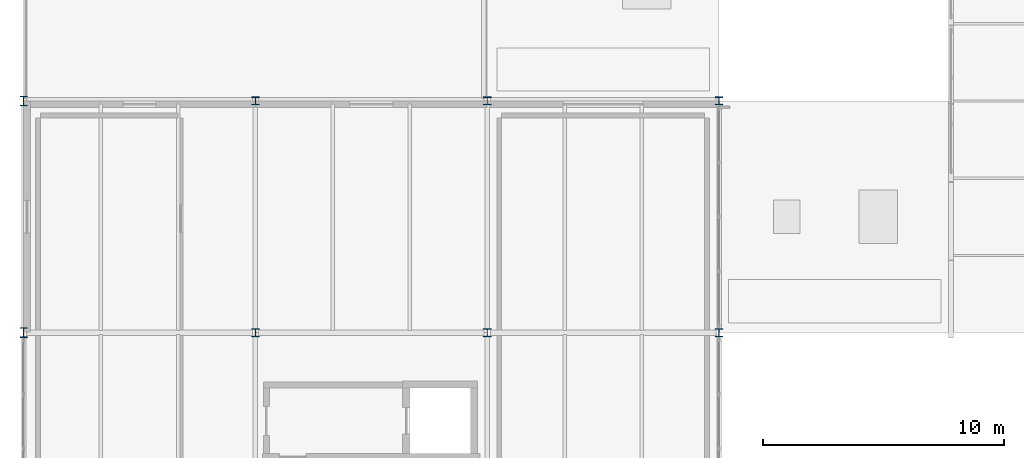
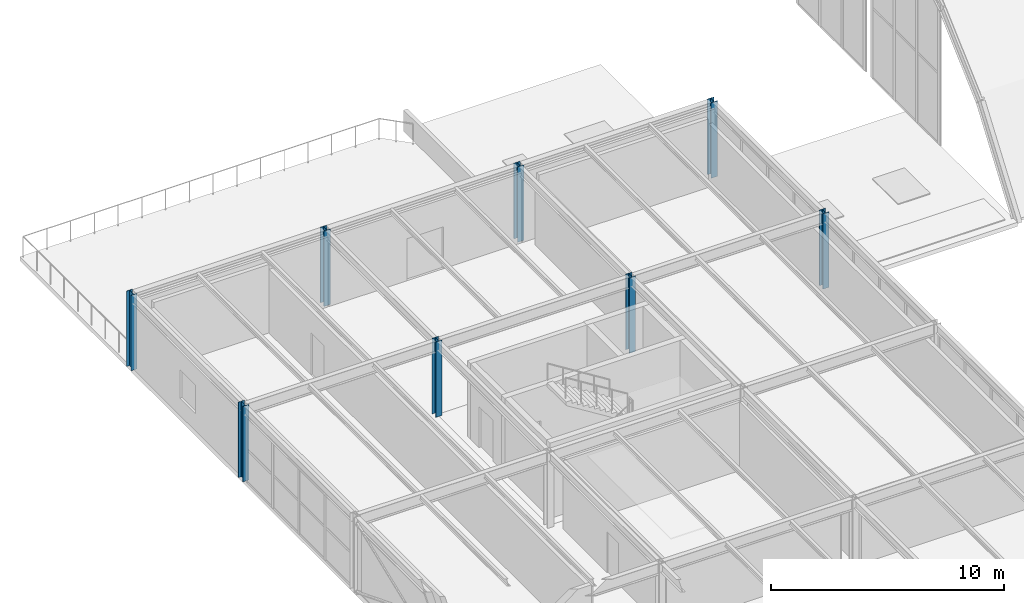
# One storey, part 3 of 126: 8 columns.
"""IFC4 building model written with IfcOpenShell, lengths in metres."""

import ifcopenshell
import ifcopenshell.guid

model = None  # the IFC model being written
_history = None  # IfcOwnerHistory: only IFC2X3 demands one
_inside = {}  # id of a spatial element -> (the spatial element, [elements in it])
_under = {}  # id of a project, library or spatial element -> (it, [spatial elements below it])
_declared = {}  # id of a project -> (the project, [libraries it declares])
_typed = {}  # id of a type object -> (the type object, [elements of that type])
_made_of = {}  # id of a material, layer set ... -> (it, [elements and type objects made of it])


def new_model(schema):
    """Start an empty IFC model of exactly this schema.

    Asked for "IFC4X3", IfcOpenShell would pick the latest addendum, in which some entities
    have other attributes; the version numbers below select the first issue.
    IFC2X3 requires an IfcOwnerHistory on every rooted entity: one is made here for all.
    """
    global model, _history
    if schema == "IFC4X3":
        model = ifcopenshell.file(schema_version=(4, 3, 0, 0))
    else:
        model = ifcopenshell.file(schema=schema)
    _inside.clear()
    _under.clear()
    _declared.clear()
    _typed.clear()
    _made_of.clear()
    _history = None
    if model.schema == "IFC2X3":
        org = make("IfcOrganization", Name="unknown")
        user = make(
            "IfcPersonAndOrganization",
            ThePerson=make("IfcPerson", FamilyName="unknown"),
            TheOrganization=org,
        )
        app = make(
            "IfcApplication",
            ApplicationDeveloper=org,
            Version="unknown",
            ApplicationFullName="unknown",
            ApplicationIdentifier="unknown",
        )
        _history = make(
            "IfcOwnerHistory",
            OwningUser=user,
            OwningApplication=app,
            ChangeAction="ADDED",
            CreationDate=0,
        )
    return model


def make(cls, **values):
    """One entity of the class cls with the attributes given. An attribute that is None is left unset."""
    return model.create_entity(
        cls, **{name: value for name, value in values.items() if value is not None}
    )


def rooted(cls, **values):
    """An entity with a GlobalId (a new one), such as an element, a storey or a relation."""
    return make(cls, GlobalId=ifcopenshell.guid.new(), OwnerHistory=_history, **values)


def si_unit(unit_type, name, prefix=None):
    """IfcSIUnit, for example si_unit("LENGTHUNIT", "METRE", prefix="MILLI")."""
    return make("IfcSIUnit", UnitType=unit_type, Prefix=prefix, Name=name)


def assignment(units):
    """IfcUnitAssignment: the units of a project."""
    return None if units is None else make("IfcUnitAssignment", Units=units)


def point(xyz):
    """IfcCartesianPoint."""
    return None if xyz is None else make("IfcCartesianPoint", Coordinates=xyz)


def direction(xyz):
    """IfcDirection."""
    return None if xyz is None else make("IfcDirection", DirectionRatios=xyz)


def frame(location, z_axis=None, x_axis=None):
    """IfcAxis2Placement3D, a coordinate frame: its origin and axes. An axis left out is left unset."""
    return make(
        "IfcAxis2Placement3D",
        Location=point(location),
        Axis=direction(z_axis),
        RefDirection=direction(x_axis),
    )


def frame_2d(location, x_axis=None):
    """IfcAxis2Placement2D, a coordinate frame in the plane: its origin and x axis."""
    return make(
        "IfcAxis2Placement2D", Location=point(location), RefDirection=direction(x_axis)
    )


def origin():
    """The frame at (0, 0, 0) with its axes left unset."""
    return frame((0.0, 0.0, 0.0))


def origin_2d():
    """The frame at (0, 0) in the plane with its x axis left unset."""
    return frame_2d((0.0, 0.0))


def place(relative_to, where):
    """IfcLocalPlacement: puts the frame where relative to a parent placement (None: the world)."""
    return make(
        "IfcLocalPlacement", PlacementRelTo=relative_to, RelativePlacement=where
    )


def context(
    kind, dimensions, precision=None, world=None, true_north=None, identifier=None
):
    """IfcGeometricRepresentationContext, for example the 3D "Model" context."""
    return make(
        "IfcGeometricRepresentationContext",
        ContextIdentifier=identifier,
        ContextType=kind,
        CoordinateSpaceDimension=dimensions,
        Precision=precision,
        WorldCoordinateSystem=world,
        TrueNorth=true_north,
    )


def subcontext(parent, identifier, kind, view, scale=None):
    """IfcGeometricRepresentationSubContext, for example "Body" below "Model"."""
    return make(
        "IfcGeometricRepresentationSubContext",
        ContextIdentifier=identifier,
        ContextType=kind,
        ParentContext=parent,
        TargetScale=scale,
        TargetView=view,
    )


def project(units=None, contexts=None):
    """IfcProject with its units and contexts."""
    return rooted(
        "IfcProject",
        Name="project",
        RepresentationContexts=contexts,
        UnitsInContext=assignment(units),
    )


def spatial(cls, under=None, at=None, **own):
    """A site, building, storey or space (cls), placed at a placement, below another one or the project."""
    s = rooted(cls, ObjectPlacement=at, **own)
    if under is not None:
        _under.setdefault(under.id(), (under, []))[1].append(s)
    return s


def profile(cls, at=None, kind="AREA", **sizes):
    """A parametric profile (cls). Its sizes go by their IFC names, for example OverallWidth=200.0."""
    return make(cls, ProfileType=kind, Position=at, **sizes)


def i_section(**sizes):
    """IfcIShapeProfileDef."""
    return profile("IfcIShapeProfileDef", **sizes)


def extrude(swept, where, along, depth):
    """IfcExtrudedAreaSolid: the profile swept, set in the frame where, extruded along a direction by depth."""
    return make(
        "IfcExtrudedAreaSolid",
        SweptArea=swept,
        Position=where,
        ExtrudedDirection=direction(along),
        Depth=depth,
    )


def shape(context_of_items, identifier, shape_type, items):
    """IfcShapeRepresentation: the items that make up one representation, for example the "Body"."""
    return make(
        "IfcShapeRepresentation",
        ContextOfItems=context_of_items,
        RepresentationIdentifier=identifier,
        RepresentationType=shape_type,
        Items=items,
    )


def material(Name=None, Category=None):
    """IfcMaterial."""
    return make("IfcMaterial", Name=Name, Category=Category)


def material_profile(
    of_material, cross_section, Name=None, Category=None, Priority=None
):
    """IfcMaterialProfile: a cross section and its material."""
    return make(
        "IfcMaterialProfile",
        Name=Name,
        Material=of_material,
        Profile=cross_section,
        Priority=Priority,
        Category=Category,
    )


def profile_set(profiles, Name=None, composite=None):
    """IfcMaterialProfileSet."""
    return make(
        "IfcMaterialProfileSet",
        Name=Name,
        MaterialProfiles=profiles,
        CompositeProfile=composite,
    )


def made_of(thing, what):
    """Note that an element or type object is made of a material, layer set ...; save() writes the relation."""
    if what is not None:
        _made_of.setdefault(what.id(), (what, []))[1].append(thing)
    return thing


def type_object(cls, material=None, **own):
    """A type object (cls), such as IfcWallType, which elements share."""
    return made_of(rooted(cls, **own), material)


def element(
    cls,
    number,
    at=None,
    inside=None,
    cuts=None,
    type_object=None,
    material=None,
    context=None,
    identifier="Body",
    shape_type=None,
    held_by="IfcProductDefinitionShape",
    body=None,
    shapes=None,
    **own,
):
    """One element of the class cls, such as IfcWall. Its Tag is "e" and its number.

    at: its placement. inside: the storey or other place that contains it. cuts: it is an
    opening in that element (IfcRelVoidsElement). A single representation is given by context,
    identifier, shape_type and body (its items); several are given by shapes. held_by: the class
    of the entity that holds the representations. save() writes the other relations.
    """
    e = rooted(cls, Tag="e%d" % number, ObjectPlacement=at, **own)
    if body is not None:
        shapes = [shape(context, identifier, shape_type, body)]
    if shapes is not None:
        e.Representation = make(held_by, Representations=shapes)
    if inside is not None:
        _inside.setdefault(inside.id(), (inside, []))[1].append(e)
    if cuts is not None:
        rooted(
            "IfcRelVoidsElement", RelatingBuildingElement=cuts, RelatedOpeningElement=e
        )
    if type_object is not None:
        _typed.setdefault(type_object.id(), (type_object, []))[1].append(e)
    return made_of(e, material)


def aggregate(whole, parts):
    """IfcRelAggregates: a whole, such as a stair, and the parts it consists of."""
    return rooted("IfcRelAggregates", RelatingObject=whole, RelatedObjects=parts)


def save(model, path):
    """Write the relations noted so far, then the file.

    IfcRelAggregates (storeys below a building ...), IfcRelContainedInSpatialStructure (elements
    in a storey), IfcRelDefinesByType, IfcRelAssociatesMaterial and IfcRelDeclares: one each for
    every whole, place, type object, material and project.
    """
    for whole, parts in _under.values():
        aggregate(whole, parts)
    for where, things in _inside.values():
        rooted(
            "IfcRelContainedInSpatialStructure",
            RelatedElements=things,
            RelatingStructure=where,
        )
    for kind, things in _typed.values():
        rooted("IfcRelDefinesByType", RelatedObjects=things, RelatingType=kind)
    for what, things in _made_of.values():
        rooted("IfcRelAssociatesMaterial", RelatedObjects=things, RelatingMaterial=what)
    for by, libraries in _declared.values():
        rooted("IfcRelDeclares", RelatingContext=by, RelatedDefinitions=libraries)
    model.write(path)


model = new_model("IFC4")

# Units and contexts
model_context = context("Model", 3, precision=1e-05, world=origin(), true_north=direction((0.0, 1.0)))
body_context = subcontext(model_context, "Body", "Model", "MODEL_VIEW")
ifc_project = project(units=[si_unit("LENGTHUNIT", "METRE"), si_unit("AREAUNIT", "SQUARE_METRE"), si_unit("VOLUMEUNIT", "CUBIC_METRE"), si_unit("PLANEANGLEUNIT", "RADIAN"), si_unit("MASSUNIT", "GRAM", prefix="KILO")], contexts=[model_context])

# Site, building, storey
site_placement = place(None, origin())
site = spatial("IfcSite", under=ifc_project, at=site_placement, CompositionType="ELEMENT")
building_placement = place(site_placement, origin())
building = spatial("IfcBuilding", under=site, at=building_placement, Name="Coralgate Yard Interchange", CompositionType="ELEMENT")
storey_placement = place(building_placement, frame((0.0, 0.0, 10.5)))
storey = spatial("IfcBuildingStorey", under=building, at=storey_placement, Name="L02", CompositionType="ELEMENT", Elevation=10.5)

# Columns
ifc_material = material(Name="Structural steel S355J2", Category="steel")
ifc_material_profile_1 = material_profile(ifc_material, i_section(OverallWidth=0.300048828125, OverallDepth=0.39990234375, WebThickness=0.013427734375, FlangeThickness=0.02392578125, FilletRadius=0.027099609375, at=origin_2d()), Name="HEB 400")
ifc_profile_set_1 = profile_set([ifc_material_profile_1], Name="Structural steel S355J2")
column_type_1 = type_object("IfcColumnType", Name="COL-SC-11", PredefinedType="COLUMN", material=ifc_profile_set_1)
for number, where, z_axis, x_axis, name in (
    (1, (0.0, 38.39990234375, 0.0), (0.0, 0.0, 1.0), (1.0, 0.0, 0.0), "L02 structural column 0-4"),
    (2, (0.0, 48.0, 0.0), (0.0, 0.0, 1.0), (1.0, 0.0, 0.0), "L02 structural column 0-5"),
):
    element("IfcColumn", number, at=place(storey_placement, frame(where, z_axis=z_axis, x_axis=x_axis)), inside=storey, type_object=column_type_1, Name=name, PredefinedType="COLUMN", context=body_context, shape_type="SweptSolid", body=[
        extrude(i_section(OverallWidth=0.300048828125, OverallDepth=0.39990234375, WebThickness=0.013427734375, FlangeThickness=0.02392578125, FilletRadius=0.027099609375, at=origin_2d()), origin(), (0.0, 0.0, 1.0), 3.949951171875),
    ])
ifc_material_profile_2 = material_profile(ifc_material, i_section(OverallWidth=0.314453125, OverallDepth=0.33984375, WebThickness=0.01904296875, FlangeThickness=0.031494140625, FilletRadius=0.01513671875, at=origin_2d()), Name="UC 305x305x198")
ifc_profile_set_2 = profile_set([ifc_material_profile_2], Name="Structural steel S355J2")
column_type_2 = type_object("IfcColumnType", Name="COL-SC-4", PredefinedType="COLUMN", material=ifc_profile_set_2)
for number, where, z_axis, x_axis, name in (
    (3, (9.60009765625, 38.39990234375, 0.0), (0.0, 0.0, 1.0), (1.0, 0.0, 0.0), "L02 structural column 1-4"),
    (4, (9.60009765625, 48.0, 0.0), (0.0, 0.0, 1.0), (1.0, 0.0, 0.0), "L02 structural column 1-5"),
    (5, (19.199951171875, 38.39990234375, 0.0), (0.0, 0.0, 1.0), (1.0, 0.0, 0.0), "L02 structural column 2-4"),
    (6, (19.199951171875, 48.0, 0.0), (0.0, 0.0, 1.0), (1.0, 0.0, 0.0), "L02 structural column 2-5"),
    (7, (28.800048828125, 38.39990234375, 0.0), (0.0, 0.0, 1.0), (1.0, 0.0, 0.0), "L02 structural column 3-4"),
    (8, (28.800048828125, 48.0, 0.0), (0.0, 0.0, 1.0), (1.0, 0.0, 0.0), "L02 structural column 3-5"),
):
    element("IfcColumn", number, at=place(storey_placement, frame(where, z_axis=z_axis, x_axis=x_axis)), inside=storey, type_object=column_type_2, Name=name, PredefinedType="COLUMN", context=body_context, shape_type="SweptSolid", body=[
        extrude(i_section(OverallWidth=0.314453125, OverallDepth=0.33984375, WebThickness=0.01904296875, FlangeThickness=0.031494140625, FilletRadius=0.01513671875, at=origin_2d()), origin(), (0.0, 0.0, 1.0), 3.949951171875),
    ])

save(model, "model.ifc")
